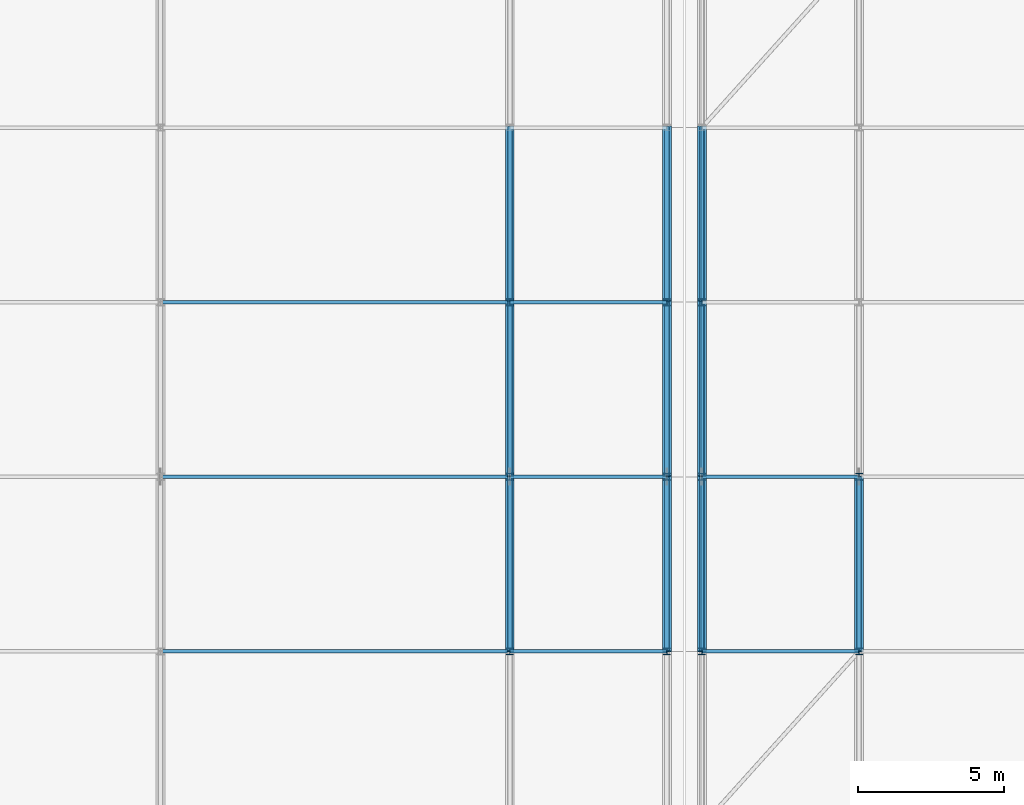
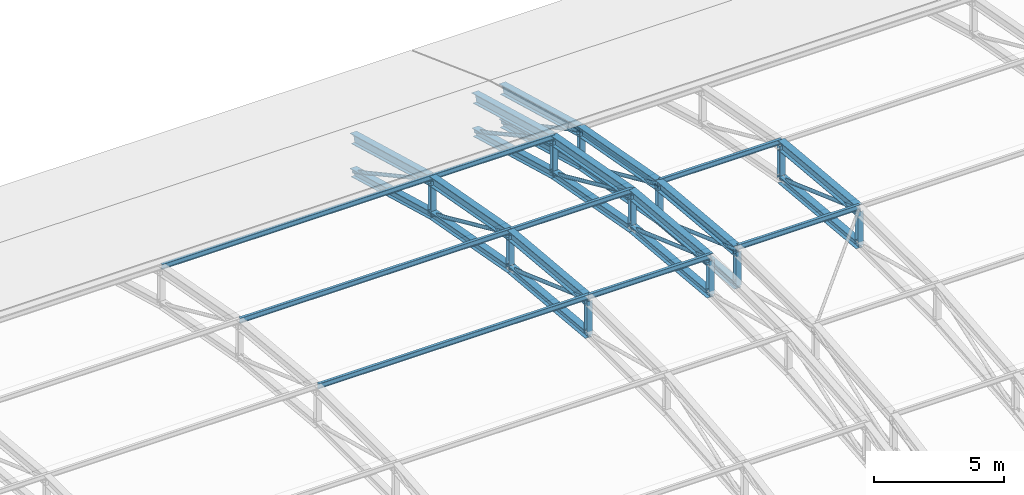
# One storey, part 101 of 204: 49 members.
"""IFC4 building model written with IfcOpenShell, lengths in metres."""

from ifc_helpers import new_model, si_unit, direction, frame, origin, origin_2d, place, context, subcontext, project, spatial, hollow_circle, i_section, extrude, material, material_profile, profile_set, type_object, element, save


model = new_model("IFC4")

# Units and contexts
model_context = context("Model", 3, precision=1e-05, world=origin(), true_north=direction((0.0, 1.0)))
body_context = subcontext(model_context, "Body", "Model", "MODEL_VIEW")
ifc_project = project(units=[si_unit("LENGTHUNIT", "METRE"), si_unit("AREAUNIT", "SQUARE_METRE"), si_unit("VOLUMEUNIT", "CUBIC_METRE"), si_unit("PLANEANGLEUNIT", "RADIAN"), si_unit("MASSUNIT", "GRAM", prefix="KILO")], contexts=[model_context])

# Site, building, storey
site_placement = place(None, origin())
site = spatial("IfcSite", under=ifc_project, at=site_placement, CompositionType="ELEMENT")
building_placement = place(site_placement, origin())
building = spatial("IfcBuilding", under=site, at=building_placement, Name="Zilviju Railside Exhibition Hall", CompositionType="ELEMENT")
storey_placement = place(building_placement, frame((0.0, 0.0, 21.0)))
storey = spatial("IfcBuildingStorey", under=building, at=storey_placement, Name="RF", CompositionType="ELEMENT", Elevation=21.0)

# Members
ifc_material = material(Name="Steel S355J2", Category="steel")
ifc_material_profile_1 = material_profile(ifc_material, hollow_circle(Radius=0.084228515625, WallThickness=0.008056640625, at=origin_2d()), Name="CHS 168.3x8.0")
ifc_profile_set_1 = profile_set([ifc_material_profile_1], Name="Steel S355J2")
member_type_1 = type_object("IfcMemberType", Name="TR-BR-CHS168", PredefinedType="BRACE", material=ifc_profile_set_1)
member_1_placement = place(storey_placement, frame((168.0, 30.0, -0.669189453125), z_axis=(0.0, 0.94123307508, -0.337757751023), x_axis=(-1.0, 0.0, 0.0)))
element("IfcMember", 1, at=member_1_placement, inside=storey, type_object=member_type_1, Name="V1 Parabolic Arch Web Diagonal X=168.0 P6", PredefinedType="BRACE", context=body_context, shape_type="SweptSolid", body=[
    extrude(hollow_circle(Radius=0.084228515625, WallThickness=0.008056640625, at=origin_2d()), origin(), (0.0, 0.0, 1.0), 6.37451171875),
])
member_2_placement = place(storey_placement, frame((168.0, 36.0, -1.22216796875), z_axis=(0.0, 0.911563042822, -0.411160332425), x_axis=(-1.0, 0.0, 0.0)))
element("IfcMember", 2, at=member_2_placement, inside=storey, type_object=member_type_1, Name="V1 Parabolic Arch Web Diagonal X=168.0 P7", PredefinedType="BRACE", context=body_context, shape_type="SweptSolid", body=[
    extrude(hollow_circle(Radius=0.084228515625, WallThickness=0.008056640625, at=origin_2d()), origin(), (0.0, 0.0, 1.0), 6.58203125),
])
member_3_placement = place(storey_placement, frame((168.0, 42.0, -2.328369140625), z_axis=(0.0, 0.87872232578, -0.477333294644), x_axis=(-1.0, 0.0, 0.0)))
element("IfcMember", 3, at=member_3_placement, inside=storey, type_object=member_type_1, Name="V1 Parabolic Arch Web Diagonal X=168.0 P8", PredefinedType="BRACE", context=body_context, shape_type="SweptSolid", body=[
    extrude(hollow_circle(Radius=0.084228515625, WallThickness=0.008056640625, at=origin_2d()), origin(), (0.0, 0.0, 1.0), 6.828125),
])
member_4_placement = place(storey_placement, frame((173.39990234375, 30.0, -0.669189453125), z_axis=(0.0, 0.94123307508, -0.337757751023), x_axis=(-1.0, 0.0, 0.0)))
element("IfcMember", 4, at=member_4_placement, inside=storey, type_object=member_type_1, Name="V1 Parabolic Arch Web Diagonal X=173.4 P6", PredefinedType="BRACE", context=body_context, shape_type="SweptSolid", body=[
    extrude(hollow_circle(Radius=0.084228515625, WallThickness=0.008056640625, at=origin_2d()), origin(), (0.0, 0.0, 1.0), 6.37451171875),
])
member_5_placement = place(storey_placement, frame((173.39990234375, 36.0, -1.22216796875), z_axis=(0.0, 0.911563042822, -0.411160332425), x_axis=(-1.0, 0.0, 0.0)))
element("IfcMember", 5, at=member_5_placement, inside=storey, type_object=member_type_1, Name="V1 Parabolic Arch Web Diagonal X=173.4 P7", PredefinedType="BRACE", context=body_context, shape_type="SweptSolid", body=[
    extrude(hollow_circle(Radius=0.084228515625, WallThickness=0.008056640625, at=origin_2d()), origin(), (0.0, 0.0, 1.0), 6.58203125),
])
member_6_placement = place(storey_placement, frame((173.39990234375, 42.0, -2.328369140625), z_axis=(0.0, 0.87872232578, -0.477333294644), x_axis=(-1.0, 0.0, 0.0)))
element("IfcMember", 6, at=member_6_placement, inside=storey, type_object=member_type_1, Name="V1 Parabolic Arch Web Diagonal X=173.4 P8", PredefinedType="BRACE", context=body_context, shape_type="SweptSolid", body=[
    extrude(hollow_circle(Radius=0.084228515625, WallThickness=0.008056640625, at=origin_2d()), origin(), (0.0, 0.0, 1.0), 6.828125),
])
member_7_placement = place(storey_placement, frame((174.60009765625, 30.0, -0.669189453125), z_axis=(0.0, 0.94123307508, -0.337757751023), x_axis=(-1.0, 0.0, 0.0)))
element("IfcMember", 7, at=member_7_placement, inside=storey, type_object=member_type_1, Name="V1 Parabolic Arch Web Diagonal X=174.6 P6", PredefinedType="BRACE", context=body_context, shape_type="SweptSolid", body=[
    extrude(hollow_circle(Radius=0.084228515625, WallThickness=0.008056640625, at=origin_2d()), origin(), (0.0, 0.0, 1.0), 6.37451171875),
])
member_8_placement = place(storey_placement, frame((174.60009765625, 36.0, -1.22216796875), z_axis=(0.0, 0.911563042822, -0.411160332425), x_axis=(-1.0, 0.0, 0.0)))
element("IfcMember", 8, at=member_8_placement, inside=storey, type_object=member_type_1, Name="V1 Parabolic Arch Web Diagonal X=174.6 P7", PredefinedType="BRACE", context=body_context, shape_type="SweptSolid", body=[
    extrude(hollow_circle(Radius=0.084228515625, WallThickness=0.008056640625, at=origin_2d()), origin(), (0.0, 0.0, 1.0), 6.58203125),
])
member_9_placement = place(storey_placement, frame((174.60009765625, 42.0, -2.328369140625), z_axis=(0.0, 0.87872232578, -0.477333294644), x_axis=(-1.0, 0.0, 0.0)))
element("IfcMember", 9, at=member_9_placement, inside=storey, type_object=member_type_1, Name="V1 Parabolic Arch Web Diagonal X=174.6 P8", PredefinedType="BRACE", context=body_context, shape_type="SweptSolid", body=[
    extrude(hollow_circle(Radius=0.084228515625, WallThickness=0.008056640625, at=origin_2d()), origin(), (0.0, 0.0, 1.0), 6.828125),
])
member_10_placement = place(storey_placement, frame((180.0, 30.0, -0.669189453125), z_axis=(0.0, 0.94123307508, -0.337757751023), x_axis=(-1.0, 0.0, 0.0)))
element("IfcMember", 10, at=member_10_placement, inside=storey, type_object=member_type_1, Name="V1 Parabolic Arch Web Diagonal X=180.0 P6", PredefinedType="BRACE", context=body_context, shape_type="SweptSolid", body=[
    extrude(hollow_circle(Radius=0.084228515625, WallThickness=0.008056640625, at=origin_2d()), origin(), (0.0, 0.0, 1.0), 6.37451171875),
])
ifc_material_profile_2 = material_profile(ifc_material, i_section(OverallWidth=0.300048828125, OverallDepth=0.360107421875, WebThickness=0.012451171875, FlangeThickness=0.0224609375, at=origin_2d()), Name="HEB 360")
ifc_profile_set_2 = profile_set([ifc_material_profile_2], Name="Steel S355J2")
member_type_2 = type_object("IfcMemberType", Name="TR-CH-HEB360", PredefinedType="CHORD", material=ifc_profile_set_2)
member_11_placement = place(storey_placement, frame((168.0, 30.0, -2.26904296875), z_axis=(0.0, 0.995776144786, -0.091814320641), x_axis=(-1.0, 0.0, 0.0)))
element("IfcMember", 11, at=member_11_placement, inside=storey, type_object=member_type_2, Name="V1 Parabolic Arch Bottom Chord X=168.0 P6", PredefinedType="CHORD", context=body_context, shape_type="SweptSolid", body=[
    extrude(i_section(OverallWidth=0.300048828125, OverallDepth=0.360107421875, WebThickness=0.012451171875, FlangeThickness=0.0224609375, at=origin_2d()), origin(), (0.0, 0.0, 1.0), 6.025390625),
])
member_12_placement = place(storey_placement, frame((168.0, 36.0, -2.822265625), z_axis=(0.0, 0.98342578549, -0.18131112606), x_axis=(-1.0, 0.0, 0.0)))
element("IfcMember", 12, at=member_12_placement, inside=storey, type_object=member_type_2, Name="V1 Parabolic Arch Bottom Chord X=168.0 P7", PredefinedType="CHORD", context=body_context, shape_type="SweptSolid", body=[
    extrude(i_section(OverallWidth=0.300048828125, OverallDepth=0.360107421875, WebThickness=0.012451171875, FlangeThickness=0.0224609375, at=origin_2d()), origin(), (0.0, 0.0, 1.0), 6.10107421875),
])
member_13_placement = place(storey_placement, frame((168.0, 42.0, -3.928466796875), z_axis=(0.0, 0.963827412659, -0.266527144223), x_axis=(-1.0, 0.0, 0.0)))
element("IfcMember", 13, at=member_13_placement, inside=storey, type_object=member_type_2, Name="V1 Parabolic Arch Bottom Chord X=168.0 P8", PredefinedType="CHORD", context=body_context, shape_type="SweptSolid", body=[
    extrude(i_section(OverallWidth=0.300048828125, OverallDepth=0.360107421875, WebThickness=0.012451171875, FlangeThickness=0.0224609375, at=origin_2d()), origin(), (0.0, 0.0, 1.0), 6.22509765625),
])
member_14_placement = place(storey_placement, frame((173.39990234375, 30.0, -2.26904296875), z_axis=(0.0, 0.995776144786, -0.091814320641), x_axis=(-1.0, 0.0, 0.0)))
element("IfcMember", 14, at=member_14_placement, inside=storey, type_object=member_type_2, Name="V1 Parabolic Arch Bottom Chord X=173.4 P6", PredefinedType="CHORD", context=body_context, shape_type="SweptSolid", body=[
    extrude(i_section(OverallWidth=0.300048828125, OverallDepth=0.360107421875, WebThickness=0.012451171875, FlangeThickness=0.0224609375, at=origin_2d()), origin(), (0.0, 0.0, 1.0), 6.025390625),
])
member_15_placement = place(storey_placement, frame((173.39990234375, 36.0, -2.822265625), z_axis=(0.0, 0.98342578549, -0.18131112606), x_axis=(-1.0, 0.0, 0.0)))
element("IfcMember", 15, at=member_15_placement, inside=storey, type_object=member_type_2, Name="V1 Parabolic Arch Bottom Chord X=173.4 P7", PredefinedType="CHORD", context=body_context, shape_type="SweptSolid", body=[
    extrude(i_section(OverallWidth=0.300048828125, OverallDepth=0.360107421875, WebThickness=0.012451171875, FlangeThickness=0.0224609375, at=origin_2d()), origin(), (0.0, 0.0, 1.0), 6.10107421875),
])
member_16_placement = place(storey_placement, frame((173.39990234375, 42.0, -3.928466796875), z_axis=(0.0, 0.963827412659, -0.266527144223), x_axis=(-1.0, 0.0, 0.0)))
element("IfcMember", 16, at=member_16_placement, inside=storey, type_object=member_type_2, Name="V1 Parabolic Arch Bottom Chord X=173.4 P8", PredefinedType="CHORD", context=body_context, shape_type="SweptSolid", body=[
    extrude(i_section(OverallWidth=0.300048828125, OverallDepth=0.360107421875, WebThickness=0.012451171875, FlangeThickness=0.0224609375, at=origin_2d()), origin(), (0.0, 0.0, 1.0), 6.22509765625),
])
member_17_placement = place(storey_placement, frame((174.60009765625, 30.0, -2.26904296875), z_axis=(0.0, 0.995776144786, -0.091814320641), x_axis=(-1.0, 0.0, 0.0)))
element("IfcMember", 17, at=member_17_placement, inside=storey, type_object=member_type_2, Name="V1 Parabolic Arch Bottom Chord X=174.6 P6", PredefinedType="CHORD", context=body_context, shape_type="SweptSolid", body=[
    extrude(i_section(OverallWidth=0.300048828125, OverallDepth=0.360107421875, WebThickness=0.012451171875, FlangeThickness=0.0224609375, at=origin_2d()), origin(), (0.0, 0.0, 1.0), 6.025390625),
])
member_18_placement = place(storey_placement, frame((174.60009765625, 36.0, -2.822265625), z_axis=(0.0, 0.98342578549, -0.18131112606), x_axis=(-1.0, 0.0, 0.0)))
element("IfcMember", 18, at=member_18_placement, inside=storey, type_object=member_type_2, Name="V1 Parabolic Arch Bottom Chord X=174.6 P7", PredefinedType="CHORD", context=body_context, shape_type="SweptSolid", body=[
    extrude(i_section(OverallWidth=0.300048828125, OverallDepth=0.360107421875, WebThickness=0.012451171875, FlangeThickness=0.0224609375, at=origin_2d()), origin(), (0.0, 0.0, 1.0), 6.10107421875),
])
member_19_placement = place(storey_placement, frame((174.60009765625, 42.0, -3.928466796875), z_axis=(0.0, 0.963827412659, -0.266527144223), x_axis=(-1.0, 0.0, 0.0)))
element("IfcMember", 19, at=member_19_placement, inside=storey, type_object=member_type_2, Name="V1 Parabolic Arch Bottom Chord X=174.6 P8", PredefinedType="CHORD", context=body_context, shape_type="SweptSolid", body=[
    extrude(i_section(OverallWidth=0.300048828125, OverallDepth=0.360107421875, WebThickness=0.012451171875, FlangeThickness=0.0224609375, at=origin_2d()), origin(), (0.0, 0.0, 1.0), 6.22509765625),
])
member_20_placement = place(storey_placement, frame((180.0, 30.0, -2.26904296875), z_axis=(0.0, 0.995776144786, -0.091814320641), x_axis=(-1.0, 0.0, 0.0)))
element("IfcMember", 20, at=member_20_placement, inside=storey, type_object=member_type_2, Name="V1 Parabolic Arch Bottom Chord X=180.0 P6", PredefinedType="CHORD", context=body_context, shape_type="SweptSolid", body=[
    extrude(i_section(OverallWidth=0.300048828125, OverallDepth=0.360107421875, WebThickness=0.012451171875, FlangeThickness=0.0224609375, at=origin_2d()), origin(), (0.0, 0.0, 1.0), 6.025390625),
])
ifc_material_profile_3 = material_profile(ifc_material, i_section(OverallWidth=0.300048828125, OverallDepth=0.449951171875, WebThickness=0.013916015625, FlangeThickness=0.02587890625, at=origin_2d()), Name="HEB 450")
ifc_profile_set_3 = profile_set([ifc_material_profile_3], Name="Steel S355J2")
member_type_3 = type_object("IfcMemberType", Name="TR-CH-HEB450", PredefinedType="CHORD", material=ifc_profile_set_3)
member_21_placement = place(storey_placement, frame((168.0, 30.0, -0.669189453125), z_axis=(0.0, 0.99577984843, -0.091774143746), x_axis=(-1.0, 0.0, 0.0)))
element("IfcMember", 21, at=member_21_placement, inside=storey, type_object=member_type_3, Name="V1 Parabolic Arch Top Chord X=168.0 P6", PredefinedType="CHORD", context=body_context, shape_type="SweptSolid", body=[
    extrude(i_section(OverallWidth=0.300048828125, OverallDepth=0.449951171875, WebThickness=0.013916015625, FlangeThickness=0.02587890625, at=origin_2d()), origin(), (0.0, 0.0, 1.0), 6.025390625),
])
member_22_placement = place(storey_placement, frame((168.0, 36.0, -1.22216796875), z_axis=(0.0, 0.98342578549, -0.18131112606), x_axis=(-1.0, 0.0, 0.0)))
element("IfcMember", 22, at=member_22_placement, inside=storey, type_object=member_type_3, Name="V1 Parabolic Arch Top Chord X=168.0 P7", PredefinedType="CHORD", context=body_context, shape_type="SweptSolid", body=[
    extrude(i_section(OverallWidth=0.300048828125, OverallDepth=0.449951171875, WebThickness=0.013916015625, FlangeThickness=0.02587890625, at=origin_2d()), origin(), (0.0, 0.0, 1.0), 6.10107421875),
])
member_23_placement = place(storey_placement, frame((168.0, 42.0, -2.328369140625), z_axis=(0.0, 0.963827412659, -0.266527144223), x_axis=(-1.0, 0.0, 0.0)))
element("IfcMember", 23, at=member_23_placement, inside=storey, type_object=member_type_3, Name="V1 Parabolic Arch Top Chord X=168.0 P8", PredefinedType="CHORD", context=body_context, shape_type="SweptSolid", body=[
    extrude(i_section(OverallWidth=0.300048828125, OverallDepth=0.449951171875, WebThickness=0.013916015625, FlangeThickness=0.02587890625, at=origin_2d()), origin(), (0.0, 0.0, 1.0), 6.22509765625),
])
member_24_placement = place(storey_placement, frame((173.39990234375, 30.0, -0.669189453125), z_axis=(0.0, 0.99577984843, -0.091774143746), x_axis=(-1.0, 0.0, 0.0)))
element("IfcMember", 24, at=member_24_placement, inside=storey, type_object=member_type_3, Name="V1 Parabolic Arch Top Chord X=173.4 P6", PredefinedType="CHORD", context=body_context, shape_type="SweptSolid", body=[
    extrude(i_section(OverallWidth=0.300048828125, OverallDepth=0.449951171875, WebThickness=0.013916015625, FlangeThickness=0.02587890625, at=origin_2d()), origin(), (0.0, 0.0, 1.0), 6.025390625),
])
member_25_placement = place(storey_placement, frame((173.39990234375, 36.0, -1.22216796875), z_axis=(0.0, 0.98342578549, -0.18131112606), x_axis=(-1.0, 0.0, 0.0)))
element("IfcMember", 25, at=member_25_placement, inside=storey, type_object=member_type_3, Name="V1 Parabolic Arch Top Chord X=173.4 P7", PredefinedType="CHORD", context=body_context, shape_type="SweptSolid", body=[
    extrude(i_section(OverallWidth=0.300048828125, OverallDepth=0.449951171875, WebThickness=0.013916015625, FlangeThickness=0.02587890625, at=origin_2d()), origin(), (0.0, 0.0, 1.0), 6.10107421875),
])
member_26_placement = place(storey_placement, frame((173.39990234375, 42.0, -2.328369140625), z_axis=(0.0, 0.963827412659, -0.266527144223), x_axis=(-1.0, 0.0, 0.0)))
element("IfcMember", 26, at=member_26_placement, inside=storey, type_object=member_type_3, Name="V1 Parabolic Arch Top Chord X=173.4 P8", PredefinedType="CHORD", context=body_context, shape_type="SweptSolid", body=[
    extrude(i_section(OverallWidth=0.300048828125, OverallDepth=0.449951171875, WebThickness=0.013916015625, FlangeThickness=0.02587890625, at=origin_2d()), origin(), (0.0, 0.0, 1.0), 6.22509765625),
])
member_27_placement = place(storey_placement, frame((174.60009765625, 30.0, -0.669189453125), z_axis=(0.0, 0.99577984843, -0.091774143746), x_axis=(-1.0, 0.0, 0.0)))
element("IfcMember", 27, at=member_27_placement, inside=storey, type_object=member_type_3, Name="V1 Parabolic Arch Top Chord X=174.6 P6", PredefinedType="CHORD", context=body_context, shape_type="SweptSolid", body=[
    extrude(i_section(OverallWidth=0.300048828125, OverallDepth=0.449951171875, WebThickness=0.013916015625, FlangeThickness=0.02587890625, at=origin_2d()), origin(), (0.0, 0.0, 1.0), 6.025390625),
])
member_28_placement = place(storey_placement, frame((174.60009765625, 36.0, -1.22216796875), z_axis=(0.0, 0.98342578549, -0.18131112606), x_axis=(-1.0, 0.0, 0.0)))
element("IfcMember", 28, at=member_28_placement, inside=storey, type_object=member_type_3, Name="V1 Parabolic Arch Top Chord X=174.6 P7", PredefinedType="CHORD", context=body_context, shape_type="SweptSolid", body=[
    extrude(i_section(OverallWidth=0.300048828125, OverallDepth=0.449951171875, WebThickness=0.013916015625, FlangeThickness=0.02587890625, at=origin_2d()), origin(), (0.0, 0.0, 1.0), 6.10107421875),
])
member_29_placement = place(storey_placement, frame((174.60009765625, 42.0, -2.328369140625), z_axis=(0.0, 0.963827412659, -0.266527144223), x_axis=(-1.0, 0.0, 0.0)))
element("IfcMember", 29, at=member_29_placement, inside=storey, type_object=member_type_3, Name="V1 Parabolic Arch Top Chord X=174.6 P8", PredefinedType="CHORD", context=body_context, shape_type="SweptSolid", body=[
    extrude(i_section(OverallWidth=0.300048828125, OverallDepth=0.449951171875, WebThickness=0.013916015625, FlangeThickness=0.02587890625, at=origin_2d()), origin(), (0.0, 0.0, 1.0), 6.22509765625),
])
member_30_placement = place(storey_placement, frame((180.0, 30.0, -0.669189453125), z_axis=(0.0, 0.99577984843, -0.091774143746), x_axis=(-1.0, 0.0, 0.0)))
element("IfcMember", 30, at=member_30_placement, inside=storey, type_object=member_type_3, Name="V1 Parabolic Arch Top Chord X=180.0 P6", PredefinedType="CHORD", context=body_context, shape_type="SweptSolid", body=[
    extrude(i_section(OverallWidth=0.300048828125, OverallDepth=0.449951171875, WebThickness=0.013916015625, FlangeThickness=0.02587890625, at=origin_2d()), origin(), (0.0, 0.0, 1.0), 6.025390625),
])
ifc_material_profile_4 = material_profile(ifc_material, i_section(OverallWidth=0.239990234375, OverallDepth=0.22998046875, WebThickness=0.007568359375, FlangeThickness=0.011962890625, at=origin_2d()), Name="HEA 240")
ifc_profile_set_4 = profile_set([ifc_material_profile_4], Name="Steel S355J2")
member_type_4 = type_object("IfcMemberType", Name="TR-POST-HEA240", PredefinedType="POST", material=ifc_profile_set_4)
member_31_placement = place(storey_placement, frame((168.0, 30.0, -2.26904296875), z_axis=(0.0, 0.0, 1.0), x_axis=(1.0, 0.0, 0.0)))
element("IfcMember", 31, at=member_31_placement, inside=storey, type_object=member_type_4, Name="V1 Parabolic Arch Web Post X=168.0 N5", PredefinedType="POST", context=body_context, shape_type="SweptSolid", body=[
    extrude(i_section(OverallWidth=0.239990234375, OverallDepth=0.22998046875, WebThickness=0.007568359375, FlangeThickness=0.011962890625, at=origin_2d()), origin(), (0.0, 0.0, 1.0), 1.599853515625),
])
for number, where, z_axis, x_axis, name in (
    (32, (168.0, 36.0, -2.822265625), (0.0, 0.0, 1.0), (1.0, 0.0, 0.0), "V1 Parabolic Arch Web Post X=168.0 N6"),
    (33, (168.0, 42.0, -3.928466796875), (0.0, 0.0, 1.0), (1.0, 0.0, 0.0), "V1 Parabolic Arch Web Post X=168.0 N7"),
):
    element("IfcMember", number, at=place(storey_placement, frame(where, z_axis=z_axis, x_axis=x_axis)), inside=storey, type_object=member_type_4, Name=name, PredefinedType="POST", context=body_context, shape_type="SweptSolid", body=[
        extrude(i_section(OverallWidth=0.239990234375, OverallDepth=0.22998046875, WebThickness=0.007568359375, FlangeThickness=0.011962890625, at=origin_2d()), origin(), (0.0, 0.0, 1.0), 1.60009765625),
    ])
member_32_placement = place(storey_placement, frame((173.39990234375, 30.0, -2.26904296875), z_axis=(0.0, 0.0, 1.0), x_axis=(1.0, 0.0, 0.0)))
element("IfcMember", 34, at=member_32_placement, inside=storey, type_object=member_type_4, Name="V1 Parabolic Arch Web Post X=173.4 N5", PredefinedType="POST", context=body_context, shape_type="SweptSolid", body=[
    extrude(i_section(OverallWidth=0.239990234375, OverallDepth=0.22998046875, WebThickness=0.007568359375, FlangeThickness=0.011962890625, at=origin_2d()), origin(), (0.0, 0.0, 1.0), 1.599853515625),
])
for number, where, z_axis, x_axis, name in (
    (35, (173.39990234375, 36.0, -2.822265625), (0.0, 0.0, 1.0), (1.0, 0.0, 0.0), "V1 Parabolic Arch Web Post X=173.4 N6"),
    (36, (173.39990234375, 42.0, -3.928466796875), (0.0, 0.0, 1.0), (1.0, 0.0, 0.0), "V1 Parabolic Arch Web Post X=173.4 N7"),
):
    element("IfcMember", number, at=place(storey_placement, frame(where, z_axis=z_axis, x_axis=x_axis)), inside=storey, type_object=member_type_4, Name=name, PredefinedType="POST", context=body_context, shape_type="SweptSolid", body=[
        extrude(i_section(OverallWidth=0.239990234375, OverallDepth=0.22998046875, WebThickness=0.007568359375, FlangeThickness=0.011962890625, at=origin_2d()), origin(), (0.0, 0.0, 1.0), 1.60009765625),
    ])
member_33_placement = place(storey_placement, frame((174.60009765625, 30.0, -2.26904296875), z_axis=(0.0, 0.0, 1.0), x_axis=(1.0, 0.0, 0.0)))
element("IfcMember", 37, at=member_33_placement, inside=storey, type_object=member_type_4, Name="V1 Parabolic Arch Web Post X=174.6 N5", PredefinedType="POST", context=body_context, shape_type="SweptSolid", body=[
    extrude(i_section(OverallWidth=0.239990234375, OverallDepth=0.22998046875, WebThickness=0.007568359375, FlangeThickness=0.011962890625, at=origin_2d()), origin(), (0.0, 0.0, 1.0), 1.599853515625),
])
for number, where, z_axis, x_axis, name in (
    (38, (174.60009765625, 36.0, -2.822265625), (0.0, 0.0, 1.0), (1.0, 0.0, 0.0), "V1 Parabolic Arch Web Post X=174.6 N6"),
    (39, (174.60009765625, 42.0, -3.928466796875), (0.0, 0.0, 1.0), (1.0, 0.0, 0.0), "V1 Parabolic Arch Web Post X=174.6 N7"),
):
    element("IfcMember", number, at=place(storey_placement, frame(where, z_axis=z_axis, x_axis=x_axis)), inside=storey, type_object=member_type_4, Name=name, PredefinedType="POST", context=body_context, shape_type="SweptSolid", body=[
        extrude(i_section(OverallWidth=0.239990234375, OverallDepth=0.22998046875, WebThickness=0.007568359375, FlangeThickness=0.011962890625, at=origin_2d()), origin(), (0.0, 0.0, 1.0), 1.60009765625),
    ])
member_34_placement = place(storey_placement, frame((180.0, 30.0, -2.26904296875), z_axis=(0.0, 0.0, 1.0), x_axis=(1.0, 0.0, 0.0)))
element("IfcMember", 40, at=member_34_placement, inside=storey, type_object=member_type_4, Name="V1 Parabolic Arch Web Post X=180.0 N5", PredefinedType="POST", context=body_context, shape_type="SweptSolid", body=[
    extrude(i_section(OverallWidth=0.239990234375, OverallDepth=0.22998046875, WebThickness=0.007568359375, FlangeThickness=0.011962890625, at=origin_2d()), origin(), (0.0, 0.0, 1.0), 1.599853515625),
])
member_35_placement = place(storey_placement, frame((180.0, 36.0, -2.822265625), z_axis=(0.0, 0.0, 1.0), x_axis=(1.0, 0.0, 0.0)))
element("IfcMember", 41, at=member_35_placement, inside=storey, type_object=member_type_4, Name="V1 Parabolic Arch Web Post X=180.0 N6", PredefinedType="POST", context=body_context, shape_type="SweptSolid", body=[
    extrude(i_section(OverallWidth=0.239990234375, OverallDepth=0.22998046875, WebThickness=0.007568359375, FlangeThickness=0.011962890625, at=origin_2d()), origin(), (0.0, 0.0, 1.0), 1.60009765625),
])
ifc_material_profile_5 = material_profile(ifc_material, i_section(OverallWidth=0.1201171875, OverallDepth=0.239990234375, WebThickness=0.006103515625, FlangeThickness=0.009765625, at=origin_2d()), Name="IPE 240")
ifc_profile_set_5 = profile_set([ifc_material_profile_5], Name="Steel S355J2")
member_type_5 = type_object("IfcMemberType", Name="TR-PUR-IPE240", PredefinedType="PURLIN", material=ifc_profile_set_5)
for number, where, z_axis, x_axis, name in (
    (42, (156.0, 30.0, -0.515625), (1.0, 0.0, 0.0), (0.0, 1.0, 0.0), "V1 Barrel Vault Roof Purlin Y=30.0 (156.0..168.0)"),
    (43, (156.0, 36.0, -1.0771484375), (1.0, 0.0, 0.0), (0.0, 1.0, 0.0), "V1 Barrel Vault Roof Purlin Y=36.0 (156.0..168.0)"),
    (44, (156.0, 42.0, -2.193603515625), (1.0, 0.0, 0.0), (0.0, 1.0, 0.0), "V1 Barrel Vault Roof Purlin Y=42.0 (156.0..168.0)"),
):
    element("IfcMember", number, at=place(storey_placement, frame(where, z_axis=z_axis, x_axis=x_axis)), inside=storey, type_object=member_type_5, Name=name, PredefinedType="PURLIN", context=body_context, shape_type="SweptSolid", body=[
        extrude(i_section(OverallWidth=0.1201171875, OverallDepth=0.239990234375, WebThickness=0.006103515625, FlangeThickness=0.009765625, at=origin_2d()), origin(), (0.0, 0.0, 1.0), 12.0),
    ])
for number, where, z_axis, x_axis, name in (
    (45, (168.0, 30.0, -0.515625), (1.0, 0.0, 0.0), (0.0, 1.0, 0.0), "V1 Barrel Vault Roof Purlin Y=30.0 (168.0..173.4)"),
    (46, (168.0, 36.0, -1.0771484375), (1.0, 0.0, 0.0), (0.0, 1.0, 0.0), "V1 Barrel Vault Roof Purlin Y=36.0 (168.0..173.4)"),
    (47, (168.0, 42.0, -2.193603515625), (1.0, 0.0, 0.0), (0.0, 1.0, 0.0), "V1 Barrel Vault Roof Purlin Y=42.0 (168.0..173.4)"),
    (48, (174.60009765625, 30.0, -0.515625), (1.0, 0.0, 0.0), (0.0, 1.0, 0.0), "V1 Barrel Vault Roof Purlin Y=30.0 (174.6..180.0)"),
    (49, (174.60009765625, 36.0, -1.0771484375), (1.0, 0.0, 0.0), (0.0, 1.0, 0.0), "V1 Barrel Vault Roof Purlin Y=36.0 (174.6..180.0)"),
):
    element("IfcMember", number, at=place(storey_placement, frame(where, z_axis=z_axis, x_axis=x_axis)), inside=storey, type_object=member_type_5, Name=name, PredefinedType="PURLIN", context=body_context, shape_type="SweptSolid", body=[
        extrude(i_section(OverallWidth=0.1201171875, OverallDepth=0.239990234375, WebThickness=0.006103515625, FlangeThickness=0.009765625, at=origin_2d()), origin(), (0.0, 0.0, 1.0), 5.39990234375),
    ])

save(model, "model.ifc")
